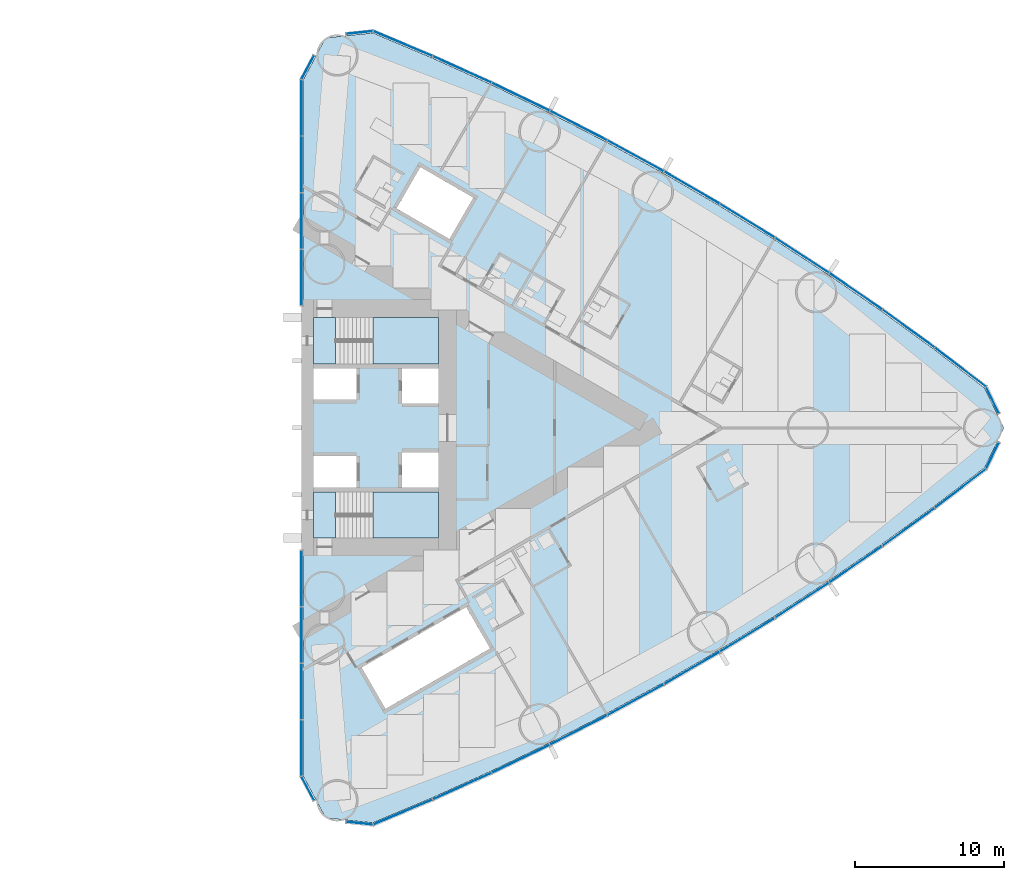
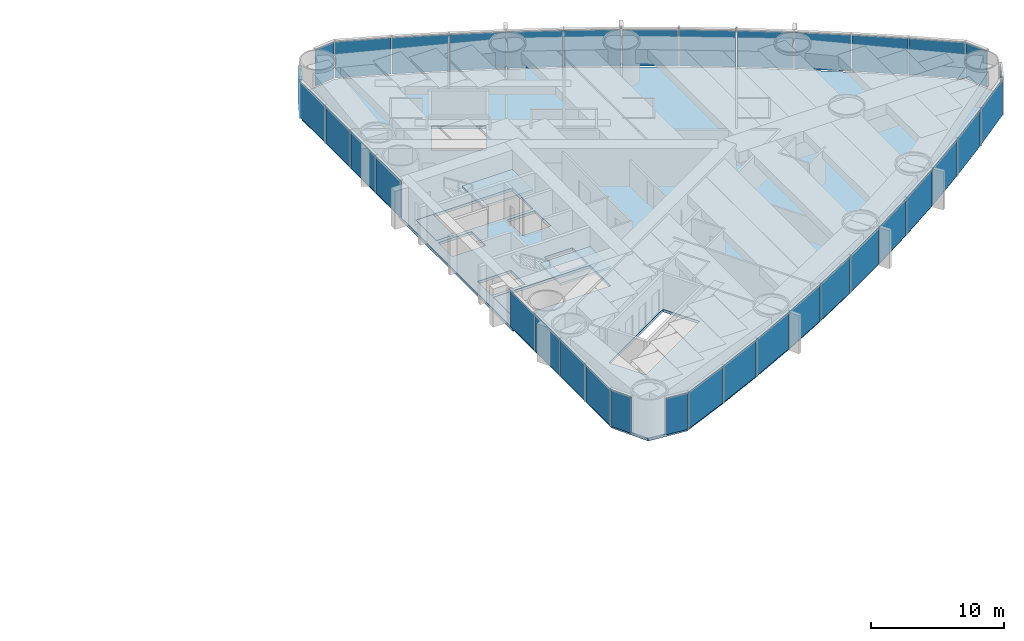
# One storey, part 10 of 19: 36 plates, 5 slabs, 6 elements without a shape of their own.
"""IFC4 building model written with IfcOpenShell, lengths in metres."""

from ifc_helpers import new_model, si_unit, direction, frame, origin, origin_2d, place, context, subcontext, project, spatial, polyline, rectangle, outline, extrude, material, layer, layer_set, type_object, element, aggregate, save


model = new_model("IFC4")

# Units and contexts
model_context = context("Model", 3, precision=1e-05, world=origin(), true_north=direction((0.0, 1.0)))
body_context = subcontext(model_context, "Body", "Model", "MODEL_VIEW")
ifc_project = project(units=[si_unit("LENGTHUNIT", "METRE"), si_unit("AREAUNIT", "SQUARE_METRE"), si_unit("VOLUMEUNIT", "CUBIC_METRE"), si_unit("PLANEANGLEUNIT", "RADIAN"), si_unit("MASSUNIT", "GRAM", prefix="KILO")], contexts=[model_context])

# Site, building, storey
site_placement = place(None, origin())
site = spatial("IfcSite", under=ifc_project, at=site_placement, CompositionType="ELEMENT")
building_placement = place(site_placement, origin())
building = spatial("IfcBuilding", under=site, at=building_placement, Name="Lancet Gate Hotel", CompositionType="ELEMENT")
storey_placement = place(building_placement, frame((0.0, 0.0, 39.0)))
storey = spatial("IfcBuildingStorey", under=building, at=storey_placement, Name="L09", CompositionType="ELEMENT", Elevation=39.0)

# Slab
ifc_material_1 = material(Name="Concrete C50/60", Category="concrete")
ifc_layer_1 = layer(ifc_material_1, 0.25)
ifc_layer_set_1 = layer_set([ifc_layer_1], Name="Floor slab 250")
slab_type_1 = type_object("IfcSlabType", Name="Floor slab 250", PredefinedType="FLOOR", material=ifc_layer_set_1)
slab_1_placement = place(storey_placement, frame((0.0, 0.0, -0.25)))
element("IfcSlab", 1, at=slab_1_placement, inside=storey, type_object=slab_type_1, Name="T2 L09 floor slab", PredefinedType="FLOOR", context=body_context, shape_type="SweptSolid", body=[
    extrude(outline(polyline([(27.5, -8.60009765625), (27.6201171875, -8.60009765625), (27.6201171875, -23.35498046875), (29.12158203125, -26.175537109375), (32.299072265625, -26.5048828125), (36.26708984375, -24.833740234375), (40.2177734375, -23.050048828125), (44.121826171875, -21.16650390625), (47.9765625, -19.18408203125), (51.77978515625, -17.104248046875), (55.528564453125, -14.92822265625), (59.220947265625, -12.657470703125), (62.854248046875, -10.29345703125), (66.42626953125, -7.837890625), (69.934814453125, -5.292236328125), (73.355712890625, -2.67431640625), (74.65576171875, 0.0), (73.355712890625, 2.67431640625), (69.934814453125, 5.292236328125), (66.42626953125, 7.837890625), (62.854248046875, 10.29345703125), (59.220947265625, 12.657470703125), (55.528564453125, 14.92822265625), (51.77978515625, 17.104248046875), (47.9765625, 19.18408203125), (44.121826171875, 21.16650390625), (40.2177734375, 23.050048828125), (36.26708984375, 24.833740234375), (32.299072265625, 26.5048828125), (29.12158203125, 26.175537109375), (27.6201171875, 23.35498046875), (27.6201171875, 8.60009765625), (27.5, 8.60009765625), (27.5, 8.199951171875), (27.5, -8.199951171875), (27.5, -8.60009765625)]), holes=[polyline([(36.699951171875, -7.39990234375), (36.699951171875, -4.300048828125), (28.300048828125, -4.300048828125), (28.300048828125, -7.39990234375), (36.699951171875, -7.39990234375)]), polyline([(28.300048828125, -4.0), (31.199951171875, -4.0), (31.199951171875, -1.89990234375), (28.300048828125, -1.89990234375), (28.300048828125, -4.0)]), polyline([(34.25, -4.0), (36.699951171875, -4.0), (36.699951171875, -1.64990234375), (34.25, -1.64990234375), (34.25, -4.0)]), polyline([(36.699951171875, 1.64990234375), (36.699951171875, 4.0), (34.25, 4.0), (34.25, 1.64990234375), (36.699951171875, 1.64990234375)]), polyline([(28.300048828125, 1.89990234375), (31.199951171875, 1.89990234375), (31.199951171875, 4.0), (28.300048828125, 4.0), (28.300048828125, 1.89990234375)]), polyline([(28.300048828125, 4.300048828125), (36.699951171875, 4.300048828125), (36.699951171875, 7.39990234375), (28.300048828125, 7.39990234375), (28.300048828125, 4.300048828125)]), polyline([(31.549072265625, -16.0810546875), (33.14892578125, -18.85205078125), (40.1640625, -14.802001953125), (38.56396484375, -12.031005859375), (31.549072265625, -16.0810546875)]), polyline([(33.887939453125, 14.73095703125), (37.43798828125, 12.680908203125), (39.0380859375, 15.451904296875), (35.488037109375, 17.501953125), (33.887939453125, 14.73095703125)])]), origin(), (0.0, 0.0, 1.0), 0.25),
])

# Stair, slabs
ifc_material_2 = material(Name="Exit stair 20 risers 1500")
stair_type = type_object("IfcStairType", Name="Exit stair 20 risers 1500", PredefinedType="HALF_TURN_STAIR", material=ifc_material_2)
stair_1_placement = place(storey_placement, origin())
stair_1 = element("IfcStair", 2, at=stair_1_placement, inside=storey, type_object=stair_type, Name="T2 stair 1 L09", PredefinedType="HALF_TURN_STAIR")
ifc_material_3 = material(Name="Concrete C40/50", Category="concrete")
ifc_layer_2 = layer(ifc_material_3, 0.199951171875)
ifc_layer_set_2 = layer_set([ifc_layer_2], Name="Stair landing 200")
slab_type_2 = type_object("IfcSlabType", Name="Stair landing 200", PredefinedType="LANDING", material=ifc_layer_set_2)
slab_2_placement = place(storey_placement, frame((0.0, 0.0, -0.199951171875)))
slab_2 = element("IfcSlab", 3, at=slab_2_placement, type_object=slab_type_2, Name="ST3 landing 1", PredefinedType="LANDING", context=body_context, shape_type="SweptSolid", body=[
    extrude(outline(polyline([(28.300048828125, -7.39990234375), (29.800048828125, -7.39990234375), (29.800048828125, -4.300048828125), (28.300048828125, -4.300048828125), (28.300048828125, -7.39990234375)])), origin(), (0.0, 0.0, 1.0), 0.199951171875),
])
slab_3_placement = place(storey_placement, frame((0.0, 0.0, 1.550048828125)))
slab_3 = element("IfcSlab", 4, at=slab_3_placement, type_object=slab_type_2, Name="ST3 landing 2", PredefinedType="LANDING", context=body_context, shape_type="SweptSolid", body=[
    extrude(outline(polyline([(32.320068359375, -7.39990234375), (36.699951171875, -7.39990234375), (36.699951171875, -4.300048828125), (32.320068359375, -4.300048828125), (32.320068359375, -7.39990234375)])), origin(), (0.0, 0.0, 1.0), 0.199951171875),
])
aggregate(stair_1, [slab_2, slab_3])

stair_2_placement = place(storey_placement, origin())
stair_2 = element("IfcStair", 5, at=stair_2_placement, inside=storey, type_object=stair_type, Name="T2 stair 2 L09", PredefinedType="HALF_TURN_STAIR")
slab_4_placement = place(storey_placement, frame((0.0, 0.0, -0.199951171875)))
slab_4 = element("IfcSlab", 6, at=slab_4_placement, type_object=slab_type_2, Name="ST4 landing 1", PredefinedType="LANDING", context=body_context, shape_type="SweptSolid", body=[
    extrude(outline(polyline([(28.300048828125, 4.300048828125), (29.800048828125, 4.300048828125), (29.800048828125, 7.39990234375), (28.300048828125, 7.39990234375), (28.300048828125, 4.300048828125)])), origin(), (0.0, 0.0, 1.0), 0.199951171875),
])
slab_5_placement = place(storey_placement, frame((0.0, 0.0, 1.550048828125)))
slab_5 = element("IfcSlab", 7, at=slab_5_placement, type_object=slab_type_2, Name="ST4 landing 2", PredefinedType="LANDING", context=body_context, shape_type="SweptSolid", body=[
    extrude(outline(polyline([(32.320068359375, 4.300048828125), (36.699951171875, 4.300048828125), (36.699951171875, 7.39990234375), (32.320068359375, 7.39990234375), (32.320068359375, 4.300048828125)])), origin(), (0.0, 0.0, 1.0), 0.199951171875),
])
aggregate(stair_2, [slab_4, slab_5])

# Curtain wall, plates
ifc_material_4 = material(Name="Aluminium curtain wall", Category="aluminium")
curtain_wall_type = type_object("IfcCurtainWallType", Name="Tower unitised curtain wall", PredefinedType="USERDEFINED", material=ifc_material_4)
curtain_wall_1_placement = place(storey_placement, origin())
curtain_wall_1 = element("IfcCurtainWall", 8, at=curtain_wall_1_placement, inside=storey, type_object=curtain_wall_type, Name="T2 L09 curtain wall 1", ObjectType="UNITISED CURTAIN WALL", PredefinedType="USERDEFINED")
ifc_material_5 = material(Name="Glass double glazed unit 8-16-6", Category="glass")
ifc_layer_3 = layer(ifc_material_5, 0.030029296875)
ifc_layer_set_3 = layer_set([ifc_layer_3], Name="Vision panel double glazed")
plate_type = type_object("IfcPlateType", Name="Vision panel double glazed", PredefinedType="CURTAIN_PANEL", material=ifc_layer_set_3)
plate_1_placement = place(storey_placement, frame((27.5, -10.09814453125, 0.0), z_axis=(0.0, 0.0, 1.0), x_axis=(0.0, -1.0, 0.0)))
plate_1 = element("IfcPlate", 9, at=plate_1_placement, type_object=plate_type, Name="T2 L09 curtain wall 1 panel 1", PredefinedType="CURTAIN_PANEL", context=body_context, shape_type="SweptSolid", body=[
    extrude(rectangle(XDim=3.731201171875, YDim=0.030029296875, at=origin_2d()), origin(), (0.0, 0.0, 1.0), 3.35009765625),
])
plate_2_placement = place(storey_placement, frame((27.5, -13.894287109375, 0.0), z_axis=(0.0, 0.0, 1.0), x_axis=(0.0, -1.0, 0.0)))
plate_2 = element("IfcPlate", 10, at=plate_2_placement, type_object=plate_type, Name="T2 L09 curtain wall 1 panel 2", PredefinedType="CURTAIN_PANEL", context=body_context, shape_type="SweptSolid", body=[
    extrude(rectangle(XDim=3.731201171875, YDim=0.030029296875, at=origin_2d()), origin(), (0.0, 0.0, 1.0), 3.35009765625),
])
plate_3_placement = place(storey_placement, frame((27.5, -17.6904296875, 0.0), z_axis=(0.0, 0.0, 1.0), x_axis=(0.0, -1.0, 0.0)))
plate_3 = element("IfcPlate", 11, at=plate_3_placement, type_object=plate_type, Name="T2 L09 curtain wall 1 panel 3", PredefinedType="CURTAIN_PANEL", context=body_context, shape_type="SweptSolid", body=[
    extrude(rectangle(XDim=3.731201171875, YDim=0.030029296875, at=origin_2d()), origin(), (0.0, 0.0, 1.0), 3.35009765625),
])
plate_4_placement = place(storey_placement, frame((27.5, -21.48681640625, 0.0), z_axis=(0.0, 0.0, 1.0), x_axis=(0.0, -1.0, 0.0)))
plate_4 = element("IfcPlate", 12, at=plate_4_placement, type_object=plate_type, Name="T2 L09 curtain wall 1 panel 4", PredefinedType="CURTAIN_PANEL", context=body_context, shape_type="SweptSolid", body=[
    extrude(rectangle(XDim=3.731201171875, YDim=0.030029296875, at=origin_2d()), origin(), (0.0, 0.0, 1.0), 3.35009765625),
])
plate_5_placement = place(storey_placement, frame((27.933349609375, -24.19873046875, 0.0), z_axis=(0.0, 0.0, 1.0), x_axis=(0.469897827284, -0.882720811987, 0.0)))
plate_5 = element("IfcPlate", 13, at=plate_5_placement, type_object=plate_type, Name="T2 L09 curtain wall 1 panel 5", PredefinedType="CURTAIN_PANEL", context=body_context, shape_type="SweptSolid", body=[
    extrude(rectangle(XDim=1.779052734375, YDim=0.030029296875, at=origin_2d()), origin(), (0.0, 0.0, 1.0), 3.35009765625),
])
aggregate(curtain_wall_1, [plate_1, plate_2, plate_3, plate_4, plate_5])

curtain_wall_2_placement = place(storey_placement, origin())
curtain_wall_2 = element("IfcCurtainWall", 14, at=curtain_wall_2_placement, inside=storey, type_object=curtain_wall_type, Name="T2 L09 curtain wall 2", ObjectType="UNITISED CURTAIN WALL", PredefinedType="USERDEFINED")
plate_6_placement = place(storey_placement, frame((31.400634765625, -26.532470703125, 0.0), z_axis=(0.0, 0.0, 1.0), x_axis=(0.994672262412, -0.10308778001, 0.0)))
plate_6 = element("IfcPlate", 15, at=plate_6_placement, type_object=plate_type, Name="T2 L09 curtain wall 2 panel 1", PredefinedType="CURTAIN_PANEL", context=body_context, shape_type="SweptSolid", body=[
    extrude(rectangle(XDim=1.7783203125, YDim=0.030029296875, at=origin_2d()), origin(), (0.0, 0.0, 1.0), 3.35009765625),
])
plate_7_placement = place(storey_placement, frame((34.316162109375, -25.78564453125, 0.0), z_axis=(0.0, 0.0, 1.0), x_axis=(0.92159330598, 0.38815689917, 0.0)))
plate_7 = element("IfcPlate", 16, at=plate_7_placement, type_object=plate_type, Name="T2 L09 curtain wall 2 panel 2", PredefinedType="CURTAIN_PANEL", context=body_context, shape_type="SweptSolid", body=[
    extrude(rectangle(XDim=4.272705078125, YDim=0.030029296875, at=origin_2d()), origin(), (0.0, 0.0, 1.0), 3.35009765625),
])
plate_8_placement = place(storey_placement, frame((38.291748046875, -24.05126953125, 0.0), z_axis=(0.0, 0.0, 1.0), x_axis=(0.911415640556, 0.41148697446, 0.0)))
plate_8 = element("IfcPlate", 17, at=plate_8_placement, type_object=plate_type, Name="T2 L09 curtain wall 2 panel 3", PredefinedType="CURTAIN_PANEL", context=body_context, shape_type="SweptSolid", body=[
    extrude(rectangle(XDim=4.272705078125, YDim=0.030029296875, at=origin_2d()), origin(), (0.0, 0.0, 1.0), 3.35009765625),
])
plate_9_placement = place(storey_placement, frame((42.221923828125, -22.21630859375, 0.0), z_axis=(0.0, 0.0, 1.0), x_axis=(0.90064748964, 0.434550456686, 0.0)))
plate_9 = element("IfcPlate", 18, at=plate_9_placement, type_object=plate_type, Name="T2 L09 curtain wall 2 panel 4", PredefinedType="CURTAIN_PANEL", context=body_context, shape_type="SweptSolid", body=[
    extrude(rectangle(XDim=4.272705078125, YDim=0.030029296875, at=origin_2d()), origin(), (0.0, 0.0, 1.0), 3.35009765625),
])
plate_10_placement = place(storey_placement, frame((46.10400390625, -20.281982421875, 0.0), z_axis=(0.0, 0.0, 1.0), x_axis=(0.889295829671, 0.457332403541, 0.0)))
plate_10 = element("IfcPlate", 19, at=plate_10_placement, type_object=plate_type, Name="T2 L09 curtain wall 2 panel 5", PredefinedType="CURTAIN_PANEL", context=body_context, shape_type="SweptSolid", body=[
    extrude(rectangle(XDim=4.272705078125, YDim=0.030029296875, at=origin_2d()), origin(), (0.0, 0.0, 1.0), 3.35009765625),
])
plate_11_placement = place(storey_placement, frame((49.935791015625, -18.249267578125, 0.0), z_axis=(0.0, 0.0, 1.0), x_axis=(0.877368015134, 0.47981805512, 0.0)))
plate_11 = element("IfcPlate", 20, at=plate_11_placement, type_object=plate_type, Name="T2 L09 curtain wall 2 panel 6", PredefinedType="CURTAIN_PANEL", context=body_context, shape_type="SweptSolid", body=[
    extrude(rectangle(XDim=4.272705078125, YDim=0.030029296875, at=origin_2d()), origin(), (0.0, 0.0, 1.0), 3.35009765625),
])
plate_12_placement = place(storey_placement, frame((53.71435546875, -16.119873046875, 0.0), z_axis=(0.0, 0.0, 1.0), x_axis=(0.864871773788, 0.501992843479, 0.0)))
plate_12 = element("IfcPlate", 21, at=plate_12_placement, type_object=plate_type, Name="T2 L09 curtain wall 2 panel 7", PredefinedType="CURTAIN_PANEL", context=body_context, shape_type="SweptSolid", body=[
    extrude(rectangle(XDim=4.272705078125, YDim=0.030029296875, at=origin_2d()), origin(), (0.0, 0.0, 1.0), 3.35009765625),
])
plate_13_placement = place(storey_placement, frame((57.437744140625, -13.89501953125, 0.0), z_axis=(0.0, 0.0, 1.0), x_axis=(0.851815201664, 0.523842402077, 0.0)))
plate_13 = element("IfcPlate", 22, at=plate_13_placement, type_object=plate_type, Name="T2 L09 curtain wall 2 panel 8", PredefinedType="CURTAIN_PANEL", context=body_context, shape_type="SweptSolid", body=[
    extrude(rectangle(XDim=4.272705078125, YDim=0.030029296875, at=origin_2d()), origin(), (0.0, 0.0, 1.0), 3.35009765625),
])
plate_14_placement = place(storey_placement, frame((61.10302734375, -11.576171875, 0.0), z_axis=(0.0, 0.0, 1.0), x_axis=(0.838206757819, 0.54535257508, 0.0)))
plate_14 = element("IfcPlate", 23, at=plate_14_placement, type_object=plate_type, Name="T2 L09 curtain wall 2 panel 9", PredefinedType="CURTAIN_PANEL", context=body_context, shape_type="SweptSolid", body=[
    extrude(rectangle(XDim=4.272705078125, YDim=0.030029296875, at=origin_2d()), origin(), (0.0, 0.0, 1.0), 3.35009765625),
])
plate_15_placement = place(storey_placement, frame((64.708251953125, -9.16455078125, 0.0), z_axis=(0.0, 0.0, 1.0), x_axis=(0.824055258853, 0.566509426538, 0.0)))
plate_15 = element("IfcPlate", 24, at=plate_15_placement, type_object=plate_type, Name="T2 L09 curtain wall 2 panel 10", PredefinedType="CURTAIN_PANEL", context=body_context, shape_type="SweptSolid", body=[
    extrude(rectangle(XDim=4.272705078125, YDim=0.030029296875, at=origin_2d()), origin(), (0.0, 0.0, 1.0), 3.35009765625),
])
plate_16_placement = place(storey_placement, frame((68.2509765625, -6.662109375, 0.0), z_axis=(0.0, 0.0, 1.0), x_axis=(0.809369873203, 0.587299249405, 0.0)))
plate_16 = element("IfcPlate", 25, at=plate_16_placement, type_object=plate_type, Name="T2 L09 curtain wall 2 panel 11", PredefinedType="CURTAIN_PANEL", context=body_context, shape_type="SweptSolid", body=[
    extrude(rectangle(XDim=4.272705078125, YDim=0.030029296875, at=origin_2d()), origin(), (0.0, 0.0, 1.0), 3.35009765625),
])
plate_17_placement = place(storey_placement, frame((71.72900390625, -4.0703125, 0.0), z_axis=(0.0, 0.0, 1.0), x_axis=(0.794160115195, 0.607708574428, 0.0)))
plate_17 = element("IfcPlate", 26, at=plate_17_placement, type_object=plate_type, Name="T2 L09 curtain wall 2 panel 12", PredefinedType="CURTAIN_PANEL", context=body_context, shape_type="SweptSolid", body=[
    extrude(rectangle(XDim=4.272705078125, YDim=0.030029296875, at=origin_2d()), origin(), (0.0, 0.0, 1.0), 3.35009765625),
])
plate_18_placement = place(storey_placement, frame((73.88671875, -1.856201171875, 0.0), z_axis=(0.0, 0.0, 1.0), x_axis=(0.437169070119, 0.899379343843, 0.0)))
plate_18 = element("IfcPlate", 27, at=plate_18_placement, type_object=plate_type, Name="T2 L09 curtain wall 2 panel 13", PredefinedType="CURTAIN_PANEL", context=body_context, shape_type="SweptSolid", body=[
    extrude(rectangle(XDim=1.92724609375, YDim=0.030029296875, at=origin_2d()), origin(), (0.0, 0.0, 1.0), 3.35009765625),
])
aggregate(curtain_wall_2, [plate_6, plate_7, plate_8, plate_9, plate_10, plate_11, plate_12, plate_13, plate_14, plate_15, plate_16, plate_17, plate_18])

curtain_wall_3_placement = place(storey_placement, origin())
curtain_wall_3 = element("IfcCurtainWall", 28, at=curtain_wall_3_placement, inside=storey, type_object=curtain_wall_type, Name="T2 L09 curtain wall 3", ObjectType="UNITISED CURTAIN WALL", PredefinedType="USERDEFINED")
plate_19_placement = place(storey_placement, frame((73.88671875, 1.856201171875, 0.0), z_axis=(0.0, 0.0, 1.0), x_axis=(-0.437169070119, 0.899379343843, 0.0)))
plate_19 = element("IfcPlate", 29, at=plate_19_placement, type_object=plate_type, Name="T2 L09 curtain wall 3 panel 1", PredefinedType="CURTAIN_PANEL", context=body_context, shape_type="SweptSolid", body=[
    extrude(rectangle(XDim=1.92724609375, YDim=0.030029296875, at=origin_2d()), origin(), (0.0, 0.0, 1.0), 3.35009765625),
])
plate_20_placement = place(storey_placement, frame((71.72900390625, 4.0703125, 0.0), z_axis=(0.0, 0.0, 1.0), x_axis=(-0.794160115195, 0.607708574428, 0.0)))
plate_20 = element("IfcPlate", 30, at=plate_20_placement, type_object=plate_type, Name="T2 L09 curtain wall 3 panel 2", PredefinedType="CURTAIN_PANEL", context=body_context, shape_type="SweptSolid", body=[
    extrude(rectangle(XDim=4.272705078125, YDim=0.030029296875, at=origin_2d()), origin(), (0.0, 0.0, 1.0), 3.35009765625),
])
plate_21_placement = place(storey_placement, frame((68.2509765625, 6.662109375, 0.0), z_axis=(0.0, 0.0, 1.0), x_axis=(-0.809369873203, 0.587299249405, 0.0)))
plate_21 = element("IfcPlate", 31, at=plate_21_placement, type_object=plate_type, Name="T2 L09 curtain wall 3 panel 3", PredefinedType="CURTAIN_PANEL", context=body_context, shape_type="SweptSolid", body=[
    extrude(rectangle(XDim=4.272705078125, YDim=0.030029296875, at=origin_2d()), origin(), (0.0, 0.0, 1.0), 3.35009765625),
])
plate_22_placement = place(storey_placement, frame((64.708251953125, 9.16455078125, 0.0), z_axis=(0.0, 0.0, 1.0), x_axis=(-0.824055258853, 0.566509426538, 0.0)))
plate_22 = element("IfcPlate", 32, at=plate_22_placement, type_object=plate_type, Name="T2 L09 curtain wall 3 panel 4", PredefinedType="CURTAIN_PANEL", context=body_context, shape_type="SweptSolid", body=[
    extrude(rectangle(XDim=4.272705078125, YDim=0.030029296875, at=origin_2d()), origin(), (0.0, 0.0, 1.0), 3.35009765625),
])
plate_23_placement = place(storey_placement, frame((61.10302734375, 11.576171875, 0.0), z_axis=(0.0, 0.0, 1.0), x_axis=(-0.838206757819, 0.54535257508, 0.0)))
plate_23 = element("IfcPlate", 33, at=plate_23_placement, type_object=plate_type, Name="T2 L09 curtain wall 3 panel 5", PredefinedType="CURTAIN_PANEL", context=body_context, shape_type="SweptSolid", body=[
    extrude(rectangle(XDim=4.272705078125, YDim=0.030029296875, at=origin_2d()), origin(), (0.0, 0.0, 1.0), 3.35009765625),
])
plate_24_placement = place(storey_placement, frame((57.437744140625, 13.89501953125, 0.0), z_axis=(0.0, 0.0, 1.0), x_axis=(-0.851815201664, 0.523842402077, 0.0)))
plate_24 = element("IfcPlate", 34, at=plate_24_placement, type_object=plate_type, Name="T2 L09 curtain wall 3 panel 6", PredefinedType="CURTAIN_PANEL", context=body_context, shape_type="SweptSolid", body=[
    extrude(rectangle(XDim=4.272705078125, YDim=0.030029296875, at=origin_2d()), origin(), (0.0, 0.0, 1.0), 3.35009765625),
])
plate_25_placement = place(storey_placement, frame((53.71435546875, 16.119873046875, 0.0), z_axis=(0.0, 0.0, 1.0), x_axis=(-0.864871773788, 0.501992843479, 0.0)))
plate_25 = element("IfcPlate", 35, at=plate_25_placement, type_object=plate_type, Name="T2 L09 curtain wall 3 panel 7", PredefinedType="CURTAIN_PANEL", context=body_context, shape_type="SweptSolid", body=[
    extrude(rectangle(XDim=4.272705078125, YDim=0.030029296875, at=origin_2d()), origin(), (0.0, 0.0, 1.0), 3.35009765625),
])
plate_26_placement = place(storey_placement, frame((49.935791015625, 18.249267578125, 0.0), z_axis=(0.0, 0.0, 1.0), x_axis=(-0.877368015134, 0.47981805512, 0.0)))
plate_26 = element("IfcPlate", 36, at=plate_26_placement, type_object=plate_type, Name="T2 L09 curtain wall 3 panel 8", PredefinedType="CURTAIN_PANEL", context=body_context, shape_type="SweptSolid", body=[
    extrude(rectangle(XDim=4.272705078125, YDim=0.030029296875, at=origin_2d()), origin(), (0.0, 0.0, 1.0), 3.35009765625),
])
plate_27_placement = place(storey_placement, frame((46.10400390625, 20.281982421875, 0.0), z_axis=(0.0, 0.0, 1.0), x_axis=(-0.889295829671, 0.457332403541, 0.0)))
plate_27 = element("IfcPlate", 37, at=plate_27_placement, type_object=plate_type, Name="T2 L09 curtain wall 3 panel 9", PredefinedType="CURTAIN_PANEL", context=body_context, shape_type="SweptSolid", body=[
    extrude(rectangle(XDim=4.272705078125, YDim=0.030029296875, at=origin_2d()), origin(), (0.0, 0.0, 1.0), 3.35009765625),
])
plate_28_placement = place(storey_placement, frame((42.221923828125, 22.21630859375, 0.0), z_axis=(0.0, 0.0, 1.0), x_axis=(-0.90064748964, 0.434550456686, 0.0)))
plate_28 = element("IfcPlate", 38, at=plate_28_placement, type_object=plate_type, Name="T2 L09 curtain wall 3 panel 10", PredefinedType="CURTAIN_PANEL", context=body_context, shape_type="SweptSolid", body=[
    extrude(rectangle(XDim=4.272705078125, YDim=0.030029296875, at=origin_2d()), origin(), (0.0, 0.0, 1.0), 3.35009765625),
])
plate_29_placement = place(storey_placement, frame((38.291748046875, 24.05126953125, 0.0), z_axis=(0.0, 0.0, 1.0), x_axis=(-0.911415640556, 0.41148697446, 0.0)))
plate_29 = element("IfcPlate", 39, at=plate_29_placement, type_object=plate_type, Name="T2 L09 curtain wall 3 panel 11", PredefinedType="CURTAIN_PANEL", context=body_context, shape_type="SweptSolid", body=[
    extrude(rectangle(XDim=4.272705078125, YDim=0.030029296875, at=origin_2d()), origin(), (0.0, 0.0, 1.0), 3.35009765625),
])
plate_30_placement = place(storey_placement, frame((34.316162109375, 25.78564453125, 0.0), z_axis=(0.0, 0.0, 1.0), x_axis=(-0.92159330598, 0.38815689917, 0.0)))
plate_30 = element("IfcPlate", 40, at=plate_30_placement, type_object=plate_type, Name="T2 L09 curtain wall 3 panel 12", PredefinedType="CURTAIN_PANEL", context=body_context, shape_type="SweptSolid", body=[
    extrude(rectangle(XDim=4.272705078125, YDim=0.030029296875, at=origin_2d()), origin(), (0.0, 0.0, 1.0), 3.35009765625),
])
plate_31_placement = place(storey_placement, frame((31.400634765625, 26.532470703125, 0.0), z_axis=(0.0, 0.0, 1.0), x_axis=(-0.994672262412, -0.10308778001, 0.0)))
plate_31 = element("IfcPlate", 41, at=plate_31_placement, type_object=plate_type, Name="T2 L09 curtain wall 3 panel 13", PredefinedType="CURTAIN_PANEL", context=body_context, shape_type="SweptSolid", body=[
    extrude(rectangle(XDim=1.7783203125, YDim=0.030029296875, at=origin_2d()), origin(), (0.0, 0.0, 1.0), 3.35009765625),
])
aggregate(curtain_wall_3, [plate_19, plate_20, plate_21, plate_22, plate_23, plate_24, plate_25, plate_26, plate_27, plate_28, plate_29, plate_30, plate_31])

curtain_wall_4_placement = place(storey_placement, origin())
curtain_wall_4 = element("IfcCurtainWall", 42, at=curtain_wall_4_placement, inside=storey, type_object=curtain_wall_type, Name="T2 L09 curtain wall 4", ObjectType="UNITISED CURTAIN WALL", PredefinedType="USERDEFINED")
plate_32_placement = place(storey_placement, frame((27.933349609375, 24.19873046875, 0.0), z_axis=(0.0, 0.0, 1.0), x_axis=(-0.469897827284, -0.882720811987, 0.0)))
plate_32 = element("IfcPlate", 43, at=plate_32_placement, type_object=plate_type, Name="T2 L09 curtain wall 4 panel 1", PredefinedType="CURTAIN_PANEL", context=body_context, shape_type="SweptSolid", body=[
    extrude(rectangle(XDim=1.779052734375, YDim=0.030029296875, at=origin_2d()), origin(), (0.0, 0.0, 1.0), 3.35009765625),
])
plate_33_placement = place(storey_placement, frame((27.5, 21.48681640625, 0.0), z_axis=(0.0, 0.0, 1.0), x_axis=(0.0, -1.0, 0.0)))
plate_33 = element("IfcPlate", 44, at=plate_33_placement, type_object=plate_type, Name="T2 L09 curtain wall 4 panel 2", PredefinedType="CURTAIN_PANEL", context=body_context, shape_type="SweptSolid", body=[
    extrude(rectangle(XDim=3.731201171875, YDim=0.030029296875, at=origin_2d()), origin(), (0.0, 0.0, 1.0), 3.35009765625),
])
plate_34_placement = place(storey_placement, frame((27.5, 17.6904296875, 0.0), z_axis=(0.0, 0.0, 1.0), x_axis=(0.0, -1.0, 0.0)))
plate_34 = element("IfcPlate", 45, at=plate_34_placement, type_object=plate_type, Name="T2 L09 curtain wall 4 panel 3", PredefinedType="CURTAIN_PANEL", context=body_context, shape_type="SweptSolid", body=[
    extrude(rectangle(XDim=3.731201171875, YDim=0.030029296875, at=origin_2d()), origin(), (0.0, 0.0, 1.0), 3.35009765625),
])
plate_35_placement = place(storey_placement, frame((27.5, 13.894287109375, 0.0), z_axis=(0.0, 0.0, 1.0), x_axis=(0.0, -1.0, 0.0)))
plate_35 = element("IfcPlate", 46, at=plate_35_placement, type_object=plate_type, Name="T2 L09 curtain wall 4 panel 4", PredefinedType="CURTAIN_PANEL", context=body_context, shape_type="SweptSolid", body=[
    extrude(rectangle(XDim=3.731201171875, YDim=0.030029296875, at=origin_2d()), origin(), (0.0, 0.0, 1.0), 3.35009765625),
])
plate_36_placement = place(storey_placement, frame((27.5, 10.09814453125, 0.0), z_axis=(0.0, 0.0, 1.0), x_axis=(0.0, -1.0, 0.0)))
plate_36 = element("IfcPlate", 47, at=plate_36_placement, type_object=plate_type, Name="T2 L09 curtain wall 4 panel 5", PredefinedType="CURTAIN_PANEL", context=body_context, shape_type="SweptSolid", body=[
    extrude(rectangle(XDim=3.731201171875, YDim=0.030029296875, at=origin_2d()), origin(), (0.0, 0.0, 1.0), 3.35009765625),
])
aggregate(curtain_wall_4, [plate_32, plate_33, plate_34, plate_35, plate_36])

save(model, "model.ifc")
